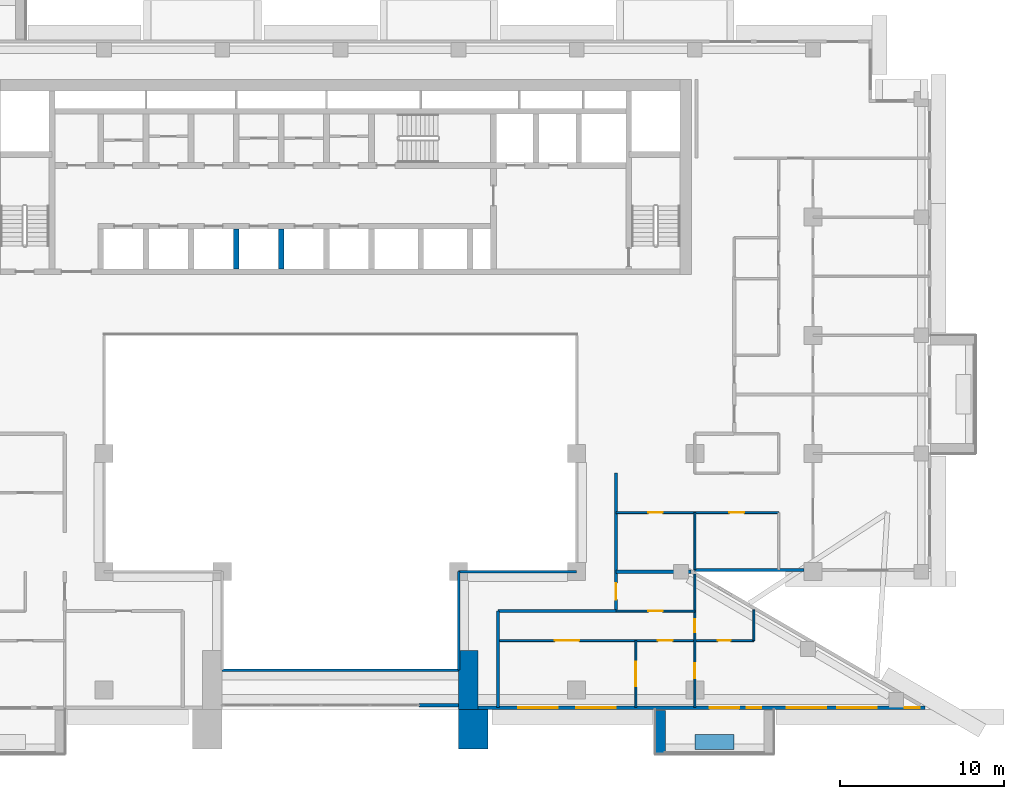
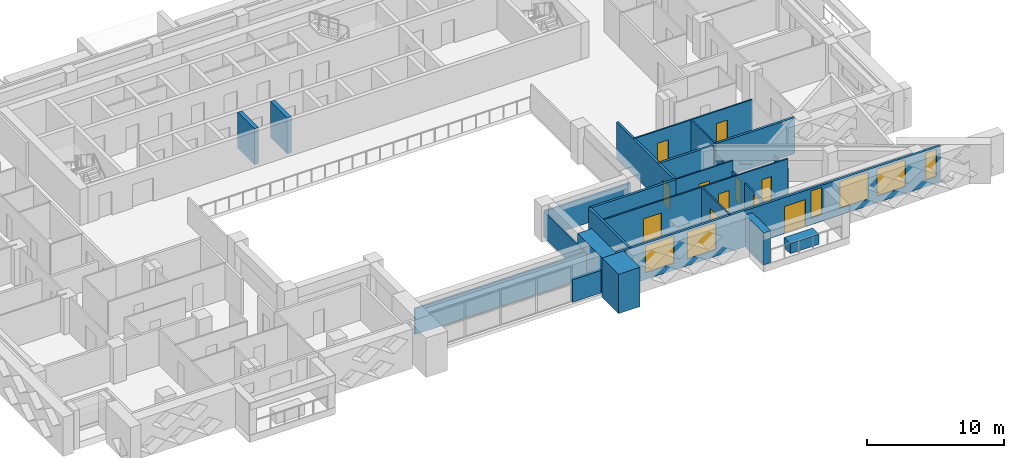
# One storey, part 8 of 20: 23 walls, 11 doors, 6 windows, 17 openings.
"""IFC4 building model written with IfcOpenShell, lengths in metres."""

from ifc_helpers import new_model, si_unit, direction, frame, frame_2d, origin, place, context, subcontext, project, spatial, rectangle, extrude, material, layer, layer_set, type_object, element, fill, save


model = new_model("IFC4")

# Units and contexts
model_context = context("Model", 3, precision=1e-05, world=origin(), true_north=direction((0.0, 1.0)))
body_context = subcontext(model_context, "Body", "Model", "MODEL_VIEW")
ifc_project = project(units=[si_unit("LENGTHUNIT", "METRE"), si_unit("AREAUNIT", "SQUARE_METRE"), si_unit("VOLUMEUNIT", "CUBIC_METRE"), si_unit("PLANEANGLEUNIT", "RADIAN"), si_unit("MASSUNIT", "GRAM", prefix="KILO")], contexts=[model_context])

# Site, building, storey
site_placement = place(None, origin())
site = spatial("IfcSite", under=ifc_project, at=site_placement, CompositionType="ELEMENT")
building_placement = place(site_placement, origin())
building = spatial("IfcBuilding", under=site, at=building_placement, Name="Saffron Iwan Residences", CompositionType="ELEMENT")
storey_placement = place(building_placement, frame((0.0, 0.0, 123.5)))
storey = spatial("IfcBuildingStorey", under=building, at=storey_placement, Name="L32", CompositionType="ELEMENT", Elevation=123.5)

# Walls
ifc_material_1 = material(Name="Fire-rated glazing", Category="glass")
ifc_layer_1 = layer(ifc_material_1, 0.14990234375)
ifc_layer_set_1 = layer_set([ifc_layer_1], Name="Fire-rated glazing")
wall_type_1 = type_object("IfcWallType", Name="Atrium glazed screen 150", PredefinedType="SOLIDWALL", material=ifc_layer_set_1)
wall_1_placement = place(storey_placement, frame((43.199951171875, 42.0, 0.0), z_axis=(0.0, 0.0, 1.0), x_axis=(1.0, 0.0, 0.0)))
element("IfcWall", 1, at=wall_1_placement, inside=storey, type_object=wall_type_1, Name="W-L32-SCREEN-h42-43.2", PredefinedType="SOLIDWALL", context=body_context, shape_type="SweptSolid", body=[
    extrude(rectangle(XDim=14.400146484375, YDim=0.14990234375, at=frame_2d((7.2001953125, 0.0))), origin(), (0.0, 0.0, 1.0), 2.300048828125),
])
wall_2_placement = place(storey_placement, frame((57.60009765625, 48.0, 0.0), z_axis=(0.0, 0.0, 1.0), x_axis=(1.0, 0.0, 0.0)))
element("IfcWall", 2, at=wall_2_placement, inside=storey, type_object=wall_type_1, Name="W-L32-SCREEN-h48-57.6", PredefinedType="SOLIDWALL", context=body_context, shape_type="SweptSolid", body=[
    extrude(rectangle(XDim=7.199951171875, YDim=0.14990234375, at=frame_2d((3.60009765625, 0.0))), origin(), (0.0, 0.0, 1.0), 2.300048828125),
])
wall_3_placement = place(storey_placement, frame((57.60009765625, 42.0, 0.0), z_axis=(0.0, 0.0, 1.0), x_axis=(0.0, 1.0, 0.0)))
element("IfcWall", 3, at=wall_3_placement, inside=storey, type_object=wall_type_1, Name="W-L32-SCREEN-v57.6-42", PredefinedType="SOLIDWALL", context=body_context, shape_type="SweptSolid", body=[
    extrude(rectangle(XDim=6.0, YDim=0.14990234375, at=frame_2d((3.0, 0.0))), origin(), (0.0, 0.0, 1.0), 2.300048828125),
])
ifc_material_2 = material(Name="Concrete C50/60 white painted", Category="concrete")
ifc_layer_2 = layer(ifc_material_2, 0.60009765625)
ifc_layer_set_2 = layer_set([ifc_layer_2], Name="Concrete C50/60 white painted")
wall_type_2 = type_object("IfcWallType", Name="BALCONY FIN 600", PredefinedType="SOLIDWALL", material=ifc_layer_set_2)
wall_4_placement = place(storey_placement, frame((69.89990234375, 39.550048828125, 0.0), z_axis=(0.0, 0.0, 1.0), x_axis=(0.0, -1.0, 0.0)))
element("IfcWall", 4, at=wall_4_placement, inside=storey, type_object=wall_type_2, Name="Balcony fin L32 11-1a", PredefinedType="SOLIDWALL", context=body_context, shape_type="SweptSolid", body=[
    extrude(rectangle(XDim=2.650146484375, YDim=0.60009765625, at=frame_2d((1.3251953125, 0.0))), origin(), (0.0, 0.0, 1.0), 2.85009765625),
])
ifc_material_3 = material(Name="Concrete C35/45 white painted", Category="concrete")
ifc_layer_3 = layer(ifc_material_3, 0.14990234375)
ifc_layer_set_3 = layer_set([ifc_layer_3], Name="Concrete C35/45 white painted")
wall_type_3 = type_object("IfcWallType", Name="BALCONY PLANTER", PredefinedType="SOLIDWALL", material=ifc_layer_set_3)
wall_5_placement = place(storey_placement, frame((72.0, 37.625, 0.0), z_axis=(0.0, 0.0, 1.0), x_axis=(1.0, 0.0, 0.0)))
element("IfcWall", 5, at=wall_5_placement, inside=storey, type_object=wall_type_3, Name="PLANTER L32 11-1", PredefinedType="SOLIDWALL", context=body_context, shape_type="SweptSolid", body=[
    extrude(rectangle(XDim=2.39990234375, YDim=0.89990234375, at=frame_2d((1.199951171875, 0.0))), origin(), (0.0, 0.0, 1.0), 0.89990234375),
])
ifc_material_4 = material(Name="Concrete C40/50", Category="concrete")
ifc_layer_4 = layer(ifc_material_4, 0.199951171875)
ifc_layer_set_4 = layer_set([ifc_layer_4], Name="Concrete C40/50")
wall_type_4 = type_object("IfcWallType", Name="EXTERNAL WALL 200", PredefinedType="SOLIDWALL", material=ifc_layer_set_4)
wall_6_placement = place(storey_placement, frame((71.989990234375, 48.10009765625, 0.0), z_axis=(0.0, 0.0, 1.0), x_axis=(1.0, 0.0, 0.0)))
element("IfcWall", 6, at=wall_6_placement, inside=storey, type_object=wall_type_4, Name="External wall L32 F1.0", PredefinedType="SOLIDWALL", context=body_context, shape_type="SweptSolid", body=[
    extrude(rectangle(XDim=6.659912109375, YDim=0.199951171875, at=frame_2d((3.330078125, 0.0))), origin(), (0.0, 0.0, 1.0), 3.199951171875),
])

# Wall, openings, door, windows
wall_7_placement = place(storey_placement, frame((58.800048828125, 39.699951171875, 0.0), z_axis=(0.0, 0.0, 1.0), x_axis=(1.0, 0.0, 0.0)))
wall_7 = element("IfcWall", 7, at=wall_7_placement, inside=storey, type_object=wall_type_4, Name="External wall L32 F11.1", PredefinedType="SOLIDWALL", context=body_context, shape_type="SweptSolid", body=[
    extrude(rectangle(XDim=27.22998046875, YDim=0.199951171875, at=frame_2d((13.614990234375, 0.0))), origin(), (0.0, 0.0, 1.0), 3.199951171875),
])
opening_1_placement = place(wall_7_placement, frame((14.10009765625, 0.0, 0.0)))
opening_1 = element("IfcOpeningElement", 8, at=opening_1_placement, cuts=wall_7, Name="Opening BD1", PredefinedType="OPENING", context=body_context, shape_type="SweptSolid", body=[
    extrude(rectangle(XDim=1.800048828125, YDim=2.39990234375, at=frame_2d((0.89990234375, 1.199951171875))), frame((0.0, 0.10986328125, 0.0), z_axis=(0.0, -1.0, 0.0), x_axis=(1.0, 0.0, 0.0)), (0.0, 0.0, 1.0), 0.219970703125),
])
opening_2_placement = place(wall_7_placement, frame((2.433349609375, 0.0, 0.60009765625)))
opening_2 = element("IfcOpeningElement", 9, at=opening_2_placement, cuts=wall_7, Name="Opening W1", PredefinedType="OPENING", context=body_context, shape_type="SweptSolid", body=[
    extrude(rectangle(XDim=2.39990234375, YDim=2.39990234375, at=frame_2d((1.199951171875, 1.199951171875))), frame((0.0, 0.10986328125, 0.0), z_axis=(0.0, -1.0, 0.0), x_axis=(1.0, 0.0, 0.0)), (0.0, 0.0, 1.0), 0.219970703125),
])
opening_3_placement = place(wall_7_placement, frame((5.966796875, 0.0, 0.60009765625)))
opening_3 = element("IfcOpeningElement", 10, at=opening_3_placement, cuts=wall_7, Name="Opening W1", PredefinedType="OPENING", context=body_context, shape_type="SweptSolid", body=[
    extrude(rectangle(XDim=2.39990234375, YDim=2.39990234375, at=frame_2d((1.199951171875, 1.199951171875))), frame((0.0, 0.10986328125, 0.0), z_axis=(0.0, -1.0, 0.0), x_axis=(1.0, 0.0, 0.0)), (0.0, 0.0, 1.0), 0.219970703125),
])
opening_4_placement = place(wall_7_placement, frame((16.35009765625, 0.0, 0.60009765625)))
opening_4 = element("IfcOpeningElement", 11, at=opening_4_placement, cuts=wall_7, Name="Opening W10", PredefinedType="OPENING", context=body_context, shape_type="SweptSolid", body=[
    extrude(rectangle(XDim=0.89990234375, YDim=2.39990234375, at=frame_2d((0.449951171875, 1.199951171875))), frame((0.0, 0.10986328125, 0.0), z_axis=(0.0, -1.0, 0.0), x_axis=(1.0, 0.0, 0.0)), (0.0, 0.0, 1.0), 0.219970703125),
])
opening_5_placement = place(wall_7_placement, frame((18.7919921875, 0.0, 0.60009765625)))
opening_5 = element("IfcOpeningElement", 12, at=opening_5_placement, cuts=wall_7, Name="Opening W1", PredefinedType="OPENING", context=body_context, shape_type="SweptSolid", body=[
    extrude(rectangle(XDim=2.39990234375, YDim=2.39990234375, at=frame_2d((1.199951171875, 1.199951171875))), frame((0.0, 0.10986328125, 0.0), z_axis=(0.0, -1.0, 0.0), x_axis=(1.0, 0.0, 0.0)), (0.0, 0.0, 1.0), 0.219970703125),
])
opening_6_placement = place(wall_7_placement, frame((21.884033203125, 0.0, 0.60009765625)))
opening_6 = element("IfcOpeningElement", 13, at=opening_6_placement, cuts=wall_7, Name="Opening W1", PredefinedType="OPENING", context=body_context, shape_type="SweptSolid", body=[
    extrude(rectangle(XDim=2.39990234375, YDim=2.39990234375, at=frame_2d((1.199951171875, 1.199951171875))), frame((0.0, 0.10986328125, 0.0), z_axis=(0.0, -1.0, 0.0), x_axis=(1.0, 0.0, 0.0)), (0.0, 0.0, 1.0), 0.219970703125),
])
opening_7_placement = place(wall_7_placement, frame((26.003173828125, 0.0, 0.60009765625)))
opening_7 = element("IfcOpeningElement", 14, at=opening_7_placement, cuts=wall_7, Name="Opening W10", PredefinedType="OPENING", context=body_context, shape_type="SweptSolid", body=[
    extrude(rectangle(XDim=0.89990234375, YDim=2.39990234375, at=frame_2d((0.449951171875, 1.199951171875))), frame((0.0, 0.10986328125, 0.0), z_axis=(0.0, -1.0, 0.0), x_axis=(1.0, 0.0, 0.0)), (0.0, 0.0, 1.0), 0.219970703125),
])
ifc_material_5 = material(Name="Clear glass, laminated double glazed", Category="glass")
door_type_1 = type_object("IfcDoorType", Name="BALCONY DOOR 1800 x 2400", OperationType="DOUBLE_DOOR_SLIDING", PredefinedType="DOOR", material=ifc_material_5)
door_1_placement = place(opening_1_placement, origin())
door_1 = element("IfcDoor", 15, at=door_1_placement, inside=storey, type_object=door_type_1, Name="Balcony door L32 F11.0", OperationType="DOUBLE_DOOR_SLIDING", OverallHeight=2.39990234375, OverallWidth=1.800048828125, PredefinedType="DOOR", context=body_context, shape_type="SweptSolid", body=[
    extrude(rectangle(XDim=1.800048828125, YDim=2.39990234375, at=frame_2d((0.89990234375, 1.199951171875))), frame((0.0, 0.02490234375, 0.0), z_axis=(0.0, -1.0, 0.0), x_axis=(1.0, 0.0, 0.0)), (0.0, 0.0, 1.0), 0.050048828125),
])
fill(opening_1, door_1)
window_type_1 = type_object("IfcWindowType", Name="WINDOW 2400 x 2400", PartitioningType="DOUBLE_PANEL_VERTICAL", PredefinedType="WINDOW", material=ifc_material_5)
window_1_placement = place(opening_2_placement, origin())
window_1 = element("IfcWindow", 16, at=window_1_placement, inside=storey, type_object=window_type_1, Name="Window L32 F11.1", OverallHeight=2.39990234375, OverallWidth=2.39990234375, PartitioningType="DOUBLE_PANEL_VERTICAL", PredefinedType="WINDOW", context=body_context, shape_type="SweptSolid", body=[
    extrude(rectangle(XDim=2.39990234375, YDim=2.39990234375, at=frame_2d((1.199951171875, 1.199951171875))), frame((0.0, 0.030029296875, 0.0), z_axis=(0.0, -1.0, 0.0), x_axis=(1.0, 0.0, 0.0)), (0.0, 0.0, 1.0), 0.06005859375),
])
fill(opening_2, window_1)
window_2_placement = place(opening_3_placement, origin())
window_2 = element("IfcWindow", 17, at=window_2_placement, inside=storey, type_object=window_type_1, Name="Window L32 F11.2", OverallHeight=2.39990234375, OverallWidth=2.39990234375, PartitioningType="DOUBLE_PANEL_VERTICAL", PredefinedType="WINDOW", context=body_context, shape_type="SweptSolid", body=[
    extrude(rectangle(XDim=2.39990234375, YDim=2.39990234375, at=frame_2d((1.199951171875, 1.199951171875))), frame((0.0, 0.030029296875, 0.0), z_axis=(0.0, -1.0, 0.0), x_axis=(1.0, 0.0, 0.0)), (0.0, 0.0, 1.0), 0.06005859375),
])
fill(opening_3, window_2)
window_3_placement = place(opening_5_placement, origin())
window_3 = element("IfcWindow", 18, at=window_3_placement, inside=storey, type_object=window_type_1, Name="Window L32 F11.4", OverallHeight=2.39990234375, OverallWidth=2.39990234375, PartitioningType="DOUBLE_PANEL_VERTICAL", PredefinedType="WINDOW", context=body_context, shape_type="SweptSolid", body=[
    extrude(rectangle(XDim=2.39990234375, YDim=2.39990234375, at=frame_2d((1.199951171875, 1.199951171875))), frame((0.0, 0.030029296875, 0.0), z_axis=(0.0, -1.0, 0.0), x_axis=(1.0, 0.0, 0.0)), (0.0, 0.0, 1.0), 0.06005859375),
])
fill(opening_5, window_3)
window_4_placement = place(opening_6_placement, origin())
window_4 = element("IfcWindow", 19, at=window_4_placement, inside=storey, type_object=window_type_1, Name="Window L32 F11.5", OverallHeight=2.39990234375, OverallWidth=2.39990234375, PartitioningType="DOUBLE_PANEL_VERTICAL", PredefinedType="WINDOW", context=body_context, shape_type="SweptSolid", body=[
    extrude(rectangle(XDim=2.39990234375, YDim=2.39990234375, at=frame_2d((1.199951171875, 1.199951171875))), frame((0.0, 0.030029296875, 0.0), z_axis=(0.0, -1.0, 0.0), x_axis=(1.0, 0.0, 0.0)), (0.0, 0.0, 1.0), 0.06005859375),
])
fill(opening_6, window_4)
window_type_2 = type_object("IfcWindowType", Name="WINDOW 900 x 2400", PartitioningType="SINGLE_PANEL", PredefinedType="WINDOW", material=ifc_material_5)
window_5_placement = place(opening_4_placement, origin())
window_5 = element("IfcWindow", 20, at=window_5_placement, inside=storey, type_object=window_type_2, Name="Window L32 F11.3", OverallHeight=2.39990234375, OverallWidth=0.89990234375, PartitioningType="SINGLE_PANEL", PredefinedType="WINDOW", context=body_context, shape_type="SweptSolid", body=[
    extrude(rectangle(XDim=0.89990234375, YDim=2.39990234375, at=frame_2d((0.449951171875, 1.199951171875))), frame((0.0, 0.030029296875, 0.0), z_axis=(0.0, -1.0, 0.0), x_axis=(1.0, 0.0, 0.0)), (0.0, 0.0, 1.0), 0.06005859375),
])
fill(opening_4, window_5)
window_6_placement = place(opening_7_placement, origin())
window_6 = element("IfcWindow", 21, at=window_6_placement, inside=storey, type_object=window_type_2, Name="Window L32 F11.6", OverallHeight=2.39990234375, OverallWidth=0.89990234375, PartitioningType="SINGLE_PANEL", PredefinedType="WINDOW", context=body_context, shape_type="SweptSolid", body=[
    extrude(rectangle(XDim=0.89990234375, YDim=2.39990234375, at=frame_2d((0.449951171875, 1.199951171875))), frame((0.0, 0.030029296875, 0.0), z_axis=(0.0, -1.0, 0.0), x_axis=(1.0, 0.0, 0.0)), (0.0, 0.0, 1.0), 0.06005859375),
])
fill(opening_7, window_6)

# Walls
wall_8_placement = place(storey_placement, frame((55.199951171875, 39.85009765625, 0.0), z_axis=(0.0, 0.0, 1.0), x_axis=(1.0, 0.0, 0.0)))
element("IfcWall", 22, at=wall_8_placement, inside=storey, type_object=wall_type_4, Name="External wall infill CWB-L32-0", PredefinedType="SOLIDWALL", context=body_context, shape_type="SweptSolid", body=[
    extrude(rectangle(XDim=2.400146484375, YDim=0.199951171875, at=frame_2d((1.2001953125, 0.0))), origin(), (0.0, 0.0, 1.0), 2.0),
])
ifc_material_6 = material(Name="Fire-rated gypsum board wall")
ifc_layer_5 = layer(ifc_material_6, 0.199951171875)
ifc_layer_set_5 = layer_set([ifc_layer_5], Name="Fire-rated gypsum board wall")
wall_type_5 = type_object("IfcWallType", Name="Flat demising wall 200", PredefinedType="SOLIDWALL", material=ifc_layer_set_5)
wall_9_placement = place(storey_placement, frame((67.199951171875, 48.0, 0.0), z_axis=(0.0, 0.0, 1.0), x_axis=(1.0, 0.0, 0.0)))
element("IfcWall", 23, at=wall_9_placement, inside=storey, type_object=wall_type_5, Name="W-L32-DEMISE-h48-67.2", PredefinedType="SOLIDWALL", context=body_context, shape_type="SweptSolid", body=[
    extrude(rectangle(XDim=4.552001953125, YDim=0.199951171875, at=frame_2d((2.27587890625, 0.0))), origin(), (0.0, 0.0, 1.0), 3.199951171875),
])

# Wall, openings, doors
ifc_material_7 = material(Name="Gypsum board partition")
ifc_layer_6 = layer(ifc_material_7, 0.1201171875)
ifc_layer_set_6 = layer_set([ifc_layer_6], Name="Gypsum board partition")
wall_type_6 = type_object("IfcWallType", Name="Flat partition 120", PredefinedType="PARTITIONING", material=ifc_layer_set_6)
wall_10_placement = place(storey_placement, frame((60.0, 43.800048828125, 0.0), z_axis=(0.0, 0.0, 1.0), x_axis=(1.0, 0.0, 0.0)))
wall_10 = element("IfcWall", 24, at=wall_10_placement, inside=storey, type_object=wall_type_6, Name="W-L32-PART-h43.8-60", PredefinedType="PARTITIONING", context=body_context, shape_type="SweptSolid", body=[
    extrude(rectangle(XDim=15.60009765625, YDim=0.1201171875, at=frame_2d((7.800048828125, 0.0))), origin(), (0.0, 0.0, 1.0), 3.199951171875),
])
opening_8_placement = place(wall_10_placement, frame((9.75, 0.0, 0.0)))
opening_8 = element("IfcOpeningElement", 25, at=opening_8_placement, cuts=wall_10, Name="Opening FD2", PredefinedType="OPENING", context=body_context, shape_type="SweptSolid", body=[
    extrude(rectangle(XDim=0.89990234375, YDim=2.10009765625, at=frame_2d((0.449951171875, 1.050048828125))), frame((0.0, 0.070068359375, 0.0), z_axis=(0.0, -1.0, 0.0), x_axis=(1.0, 0.0, 0.0)), (0.0, 0.0, 1.0), 0.14013671875),
])
opening_9_placement = place(wall_10_placement, frame((3.449951171875, 0.0, 0.0)))
opening_9 = element("IfcOpeningElement", 26, at=opening_9_placement, cuts=wall_10, Name="Opening FD4", PredefinedType="OPENING", context=body_context, shape_type="SweptSolid", body=[
    extrude(rectangle(XDim=1.5, YDim=2.10009765625, at=frame_2d((0.75, 1.050048828125))), frame((0.0, 0.070068359375, 0.0), z_axis=(0.0, -1.0, 0.0), x_axis=(1.0, 0.0, 0.0)), (0.0, 0.0, 1.0), 0.14013671875),
])
opening_10_placement = place(wall_10_placement, frame((13.39990234375, 0.0, 0.0)))
opening_10 = element("IfcOpeningElement", 27, at=opening_10_placement, cuts=wall_10, Name="Opening FD3", PredefinedType="OPENING", context=body_context, shape_type="SweptSolid", body=[
    extrude(rectangle(XDim=0.800048828125, YDim=2.10009765625, at=frame_2d((0.39990234375, 1.050048828125))), frame((0.0, 0.070068359375, 0.0), z_axis=(0.0, -1.0, 0.0), x_axis=(1.0, 0.0, 0.0)), (0.0, 0.0, 1.0), 0.14013671875),
])
ifc_material_8 = material(Name="Timber door", Category="wood")
door_type_2 = type_object("IfcDoorType", Name="Bathroom door 800", OperationType="NOTDEFINED", PredefinedType="DOOR", material=ifc_material_8)
door_2_placement = place(opening_10_placement, origin())
door_2 = element("IfcDoor", 28, at=door_2_placement, inside=storey, type_object=door_type_2, Name="Door L32-045", OperationType="SINGLE_SWING_LEFT", OverallHeight=2.10009765625, OverallWidth=0.800048828125, PredefinedType="DOOR", context=body_context, shape_type="SweptSolid", body=[
    extrude(rectangle(XDim=0.800048828125, YDim=2.10009765625, at=frame_2d((0.39990234375, 1.050048828125))), frame((0.0, 0.02490234375, 0.0), z_axis=(0.0, -1.0, 0.0), x_axis=(1.0, 0.0, 0.0)), (0.0, 0.0, 1.0), 0.050048828125),
])
fill(opening_10, door_2)
door_type_3 = type_object("IfcDoorType", Name="Double door 1500", OperationType="NOTDEFINED", PredefinedType="DOOR", material=ifc_material_8)
door_3_placement = place(opening_9_placement, origin())
door_3 = element("IfcDoor", 29, at=door_3_placement, inside=storey, type_object=door_type_3, Name="Door L32-042", OperationType="SINGLE_SWING_LEFT", OverallHeight=2.10009765625, OverallWidth=1.5, PredefinedType="DOOR", context=body_context, shape_type="SweptSolid", body=[
    extrude(rectangle(XDim=1.5, YDim=2.10009765625, at=frame_2d((0.75, 1.050048828125))), frame((0.0, 0.02490234375, 0.0), z_axis=(0.0, -1.0, 0.0), x_axis=(1.0, 0.0, 0.0)), (0.0, 0.0, 1.0), 0.050048828125),
])
fill(opening_9, door_3)
door_type_4 = type_object("IfcDoorType", Name="Flat door 900", OperationType="NOTDEFINED", PredefinedType="DOOR", material=ifc_material_8)
door_4_placement = place(opening_8_placement, origin())
door_4 = element("IfcDoor", 30, at=door_4_placement, inside=storey, type_object=door_type_4, Name="Door L32-041", OperationType="SINGLE_SWING_RIGHT", OverallHeight=2.10009765625, OverallWidth=0.89990234375, PredefinedType="DOOR", context=body_context, shape_type="SweptSolid", body=[
    extrude(rectangle(XDim=0.89990234375, YDim=2.10009765625, at=frame_2d((0.449951171875, 1.050048828125))), frame((0.0, 0.02490234375, 0.0), z_axis=(0.0, -1.0, 0.0), x_axis=(1.0, 0.0, 0.0)), (0.0, 0.0, 1.0), 0.050048828125),
])
fill(opening_8, door_4)

# Wall, opening, door
wall_11_placement = place(storey_placement, frame((67.199951171875, 45.60009765625, 0.0), z_axis=(0.0, 0.0, 1.0), x_axis=(1.0, 0.0, 0.0)))
wall_11 = element("IfcWall", 31, at=wall_11_placement, inside=storey, type_object=wall_type_6, Name="W-L32-PART-h45.6-67.2", PredefinedType="PARTITIONING", context=body_context, shape_type="SweptSolid", body=[
    extrude(rectangle(XDim=4.800048828125, YDim=0.1201171875, at=frame_2d((2.39990234375, 0.0))), origin(), (0.0, 0.0, 1.0), 3.199951171875),
])
opening_11_placement = place(wall_11_placement, frame((1.949951171875, 0.0, 0.0)))
opening_11 = element("IfcOpeningElement", 32, at=opening_11_placement, cuts=wall_11, Name="Opening FD2", PredefinedType="OPENING", context=body_context, shape_type="SweptSolid", body=[
    extrude(rectangle(XDim=0.89990234375, YDim=2.10009765625, at=frame_2d((0.449951171875, 1.050048828125))), frame((0.0, 0.070068359375, 0.0), z_axis=(0.0, -1.0, 0.0), x_axis=(1.0, 0.0, 0.0)), (0.0, 0.0, 1.0), 0.14013671875),
])
door_5_placement = place(opening_11_placement, origin())
door_5 = element("IfcDoor", 33, at=door_5_placement, inside=storey, type_object=door_type_4, Name="Door L32-039", OperationType="SINGLE_SWING_LEFT", OverallHeight=2.10009765625, OverallWidth=0.89990234375, PredefinedType="DOOR", context=body_context, shape_type="SweptSolid", body=[
    extrude(rectangle(XDim=0.89990234375, YDim=2.10009765625, at=frame_2d((0.449951171875, 1.050048828125))), frame((0.0, 0.02490234375, 0.0), z_axis=(0.0, -1.0, 0.0), x_axis=(1.0, 0.0, 0.0)), (0.0, 0.0, 1.0), 0.050048828125),
])
fill(opening_11, door_5)

# Wall, openings, doors
wall_12_placement = place(storey_placement, frame((67.199951171875, 51.60009765625, 0.0), z_axis=(0.0, 0.0, 1.0), x_axis=(1.0, 0.0, 0.0)))
wall_12 = element("IfcWall", 34, at=wall_12_placement, inside=storey, type_object=wall_type_6, Name="W-L32-PART-h51.6-67.2", PredefinedType="PARTITIONING", context=body_context, shape_type="SweptSolid", body=[
    extrude(rectangle(XDim=9.900146484375, YDim=0.1201171875, at=frame_2d((4.9501953125, 0.0))), origin(), (0.0, 0.0, 1.0), 3.199951171875),
])
opening_12_placement = place(wall_12_placement, frame((6.89990234375, 0.0, 0.0)))
opening_12 = element("IfcOpeningElement", 35, at=opening_12_placement, cuts=wall_12, Name="Opening FD2", PredefinedType="OPENING", context=body_context, shape_type="SweptSolid", body=[
    extrude(rectangle(XDim=0.89990234375, YDim=2.10009765625, at=frame_2d((0.449951171875, 1.050048828125))), frame((0.0, 0.070068359375, 0.0), z_axis=(0.0, -1.0, 0.0), x_axis=(1.0, 0.0, 0.0)), (0.0, 0.0, 1.0), 0.14013671875),
])
opening_13_placement = place(wall_12_placement, frame((1.949951171875, 0.0, 0.0)))
opening_13 = element("IfcOpeningElement", 36, at=opening_13_placement, cuts=wall_12, Name="Opening FD2", PredefinedType="OPENING", context=body_context, shape_type="SweptSolid", body=[
    extrude(rectangle(XDim=0.89990234375, YDim=2.10009765625, at=frame_2d((0.449951171875, 1.050048828125))), frame((0.0, 0.070068359375, 0.0), z_axis=(0.0, -1.0, 0.0), x_axis=(1.0, 0.0, 0.0)), (0.0, 0.0, 1.0), 0.14013671875),
])
door_6_placement = place(opening_12_placement, origin())
door_6 = element("IfcDoor", 37, at=door_6_placement, inside=storey, type_object=door_type_4, Name="Door L32-016", OperationType="SINGLE_SWING_LEFT", OverallHeight=2.10009765625, OverallWidth=0.89990234375, PredefinedType="DOOR", context=body_context, shape_type="SweptSolid", body=[
    extrude(rectangle(XDim=0.89990234375, YDim=2.10009765625, at=frame_2d((0.449951171875, 1.050048828125))), frame((0.0, 0.02490234375, 0.0), z_axis=(0.0, -1.0, 0.0), x_axis=(1.0, 0.0, 0.0)), (0.0, 0.0, 1.0), 0.050048828125),
])
fill(opening_12, door_6)
door_7_placement = place(opening_13_placement, origin())
door_7 = element("IfcDoor", 38, at=door_7_placement, inside=storey, type_object=door_type_4, Name="Door L32-018", OperationType="SINGLE_SWING_LEFT", OverallHeight=2.10009765625, OverallWidth=0.89990234375, PredefinedType="DOOR", context=body_context, shape_type="SweptSolid", body=[
    extrude(rectangle(XDim=0.89990234375, YDim=2.10009765625, at=frame_2d((0.449951171875, 1.050048828125))), frame((0.0, 0.02490234375, 0.0), z_axis=(0.0, -1.0, 0.0), x_axis=(1.0, 0.0, 0.0)), (0.0, 0.0, 1.0), 0.050048828125),
])
fill(opening_13, door_7)

# Wall, opening, door
wall_13_placement = place(storey_placement, frame((68.39990234375, 39.72509765625, 0.0), z_axis=(0.0, 0.0, 1.0), x_axis=(0.0, 1.0, 0.0)))
wall_13 = element("IfcWall", 39, at=wall_13_placement, inside=storey, type_object=wall_type_6, Name="W-L32-PART-v68.4-39.725", PredefinedType="PARTITIONING", context=body_context, shape_type="SweptSolid", body=[
    extrude(rectangle(XDim=4.074951171875, YDim=0.1201171875, at=frame_2d((2.03759765625, 0.0))), origin(), (0.0, 0.0, 1.0), 3.199951171875),
])
opening_14_placement = place(wall_13_placement, frame((1.28759765625, 0.0, 0.0)))
opening_14 = element("IfcOpeningElement", 40, at=opening_14_placement, cuts=wall_13, Name="Opening FD4", PredefinedType="OPENING", context=body_context, shape_type="SweptSolid", body=[
    extrude(rectangle(XDim=1.5, YDim=2.10009765625, at=frame_2d((0.75, 1.050048828125))), frame((0.0, 0.070068359375, 0.0), z_axis=(0.0, -1.0, 0.0), x_axis=(1.0, 0.0, 0.0)), (0.0, 0.0, 1.0), 0.14013671875),
])
door_8_placement = place(opening_14_placement, origin())
door_8 = element("IfcDoor", 41, at=door_8_placement, inside=storey, type_object=door_type_3, Name="Door L32-038", OperationType="SINGLE_SWING_RIGHT", OverallHeight=2.10009765625, OverallWidth=1.5, PredefinedType="DOOR", context=body_context, shape_type="SweptSolid", body=[
    extrude(rectangle(XDim=1.5, YDim=2.10009765625, at=frame_2d((0.75, 1.050048828125))), frame((0.0, 0.02490234375, 0.0), z_axis=(0.0, -1.0, 0.0), x_axis=(1.0, 0.0, 0.0)), (0.0, 0.0, 1.0), 0.050048828125),
])
fill(opening_14, door_8)

# Wall, openings, doors
wall_14_placement = place(storey_placement, frame((72.0, 39.72509765625, 0.0), z_axis=(0.0, 0.0, 1.0), x_axis=(0.0, 1.0, 0.0)))
wall_14 = element("IfcWall", 42, at=wall_14_placement, inside=storey, type_object=wall_type_6, Name="W-L32-PART-v72-39.725", PredefinedType="PARTITIONING", context=body_context, shape_type="SweptSolid", body=[
    extrude(rectangle(XDim=8.1298828125, YDim=0.1201171875, at=frame_2d((4.06494140625, 0.0))), origin(), (0.0, 0.0, 1.0), 2.300048828125),
])
opening_15_placement = place(wall_14_placement, frame((1.78759765625, 0.0, 0.0)))
opening_15 = element("IfcOpeningElement", 43, at=opening_15_placement, cuts=wall_14, Name="Opening FD2", PredefinedType="OPENING", context=body_context, shape_type="SweptSolid", body=[
    extrude(rectangle(XDim=0.89990234375, YDim=2.10009765625, at=frame_2d((0.449951171875, 1.050048828125))), frame((0.0, 0.070068359375, 0.0), z_axis=(0.0, -1.0, 0.0), x_axis=(1.0, 0.0, 0.0)), (0.0, 0.0, 1.0), 0.14013671875),
])
opening_16_placement = place(wall_14_placement, frame((4.574951171875, 0.0, 0.0)))
opening_16 = element("IfcOpeningElement", 44, at=opening_16_placement, cuts=wall_14, Name="Opening FD3", PredefinedType="OPENING", context=body_context, shape_type="SweptSolid", body=[
    extrude(rectangle(XDim=0.800048828125, YDim=2.10009765625, at=frame_2d((0.39990234375, 1.050048828125))), frame((0.0, 0.070068359375, 0.0), z_axis=(0.0, -1.0, 0.0), x_axis=(1.0, 0.0, 0.0)), (0.0, 0.0, 1.0), 0.14013671875),
])
door_9_placement = place(opening_16_placement, origin())
door_9 = element("IfcDoor", 45, at=door_9_placement, inside=storey, type_object=door_type_2, Name="Door L32-044", OperationType="SINGLE_SWING_RIGHT", OverallHeight=2.10009765625, OverallWidth=0.800048828125, PredefinedType="DOOR", context=body_context, shape_type="SweptSolid", body=[
    extrude(rectangle(XDim=0.800048828125, YDim=2.10009765625, at=frame_2d((0.39990234375, 1.050048828125))), frame((0.0, 0.02490234375, 0.0), z_axis=(0.0, -1.0, 0.0), x_axis=(1.0, 0.0, 0.0)), (0.0, 0.0, 1.0), 0.050048828125),
])
fill(opening_16, door_9)
door_10_placement = place(opening_15_placement, origin())
door_10 = element("IfcDoor", 46, at=door_10_placement, inside=storey, type_object=door_type_4, Name="Door L32-043", OperationType="SINGLE_SWING_RIGHT", OverallHeight=2.10009765625, OverallWidth=0.89990234375, PredefinedType="DOOR", context=body_context, shape_type="SweptSolid", body=[
    extrude(rectangle(XDim=0.89990234375, YDim=2.10009765625, at=frame_2d((0.449951171875, 1.050048828125))), frame((0.0, 0.02490234375, 0.0), z_axis=(0.0, -1.0, 0.0), x_axis=(1.0, 0.0, 0.0)), (0.0, 0.0, 1.0), 0.050048828125),
])
fill(opening_15, door_10)

# Walls
wall_15_placement = place(storey_placement, frame((72.0, 48.125, 0.0), z_axis=(0.0, 0.0, 1.0), x_axis=(0.0, 1.0, 0.0)))
element("IfcWall", 47, at=wall_15_placement, inside=storey, type_object=wall_type_6, Name="W-L32-PART-v72-48.125", PredefinedType="PARTITIONING", context=body_context, shape_type="SweptSolid", body=[
    extrude(rectangle(XDim=3.47509765625, YDim=0.1201171875, at=frame_2d((1.737548828125, 0.0))), origin(), (0.0, 0.0, 1.0), 3.199951171875),
])
wall_16_placement = place(storey_placement, frame((75.60009765625, 43.800048828125, 0.0), z_axis=(0.0, 0.0, 1.0), x_axis=(0.0, 1.0, 0.0)))
element("IfcWall", 48, at=wall_16_placement, inside=storey, type_object=wall_type_6, Name="W-L32-PART-v75.6-43.8", PredefinedType="PARTITIONING", context=body_context, shape_type="SweptSolid", body=[
    extrude(rectangle(XDim=1.868408203125, YDim=0.1201171875, at=frame_2d((0.93408203125, 0.0))), origin(), (0.0, 0.0, 1.0), 2.300048828125),
])
ifc_layer_7 = layer(ifc_material_6, 0.199951171875)
ifc_layer_set_7 = layer_set([ifc_layer_7], Name="Fire-rated gypsum board wall")
wall_type_7 = type_object("IfcWallType", Name="Gallery wall 200", PredefinedType="SOLIDWALL", material=ifc_layer_set_7)
wall_17_placement = place(storey_placement, frame((60.0, 45.60009765625, 0.0), z_axis=(0.0, 0.0, 1.0), x_axis=(1.0, 0.0, 0.0)))
element("IfcWall", 49, at=wall_17_placement, inside=storey, type_object=wall_type_7, Name="W-L32-CORR-h45.6-60", PredefinedType="SOLIDWALL", context=body_context, shape_type="SweptSolid", body=[
    extrude(rectangle(XDim=7.199951171875, YDim=0.199951171875, at=frame_2d((3.60009765625, 0.0))), origin(), (0.0, 0.0, 1.0), 3.199951171875),
])
wall_18_placement = place(storey_placement, frame((60.0, 39.72509765625, 0.0), z_axis=(0.0, 0.0, 1.0), x_axis=(0.0, 1.0, 0.0)))
element("IfcWall", 50, at=wall_18_placement, inside=storey, type_object=wall_type_7, Name="W-L32-CORR-v60-39.725", PredefinedType="SOLIDWALL", context=body_context, shape_type="SweptSolid", body=[
    extrude(rectangle(XDim=5.875, YDim=0.199951171875, at=frame_2d((2.9375, 0.0))), origin(), (0.0, 0.0, 1.0), 3.199951171875),
])

# Wall, opening, door
wall_19_placement = place(storey_placement, frame((67.199951171875, 45.60009765625, 0.0), z_axis=(0.0, 0.0, 1.0), x_axis=(0.0, 1.0, 0.0)))
wall_19 = element("IfcWall", 51, at=wall_19_placement, inside=storey, type_object=wall_type_7, Name="W-L32-CORR-v67.2-45.6", PredefinedType="SOLIDWALL", context=body_context, shape_type="SweptSolid", body=[
    extrude(rectangle(XDim=8.39990234375, YDim=0.199951171875, at=frame_2d((4.199951171875, 0.0))), origin(), (0.0, 0.0, 1.0), 3.199951171875),
])
opening_17_placement = place(wall_19_placement, frame((0.699951171875, 0.0, 0.0)))
opening_17 = element("IfcOpeningElement", 52, at=opening_17_placement, cuts=wall_19, Name="Opening FD5", PredefinedType="OPENING", context=body_context, shape_type="SweptSolid", body=[
    extrude(rectangle(XDim=1.0, YDim=2.10009765625, at=frame_2d((0.5, 1.050048828125))), frame((0.0, 0.10986328125, 0.0), z_axis=(0.0, -1.0, 0.0), x_axis=(1.0, 0.0, 0.0)), (0.0, 0.0, 1.0), 0.219970703125),
])
ifc_material_9 = material(Name="Fire-rated timber door", Category="wood")
door_type_5 = type_object("IfcDoorType", Name="Lobby door 1000", OperationType="NOTDEFINED", PredefinedType="DOOR", material=ifc_material_9)
door_11_placement = place(opening_17_placement, origin())
door_11 = element("IfcDoor", 53, at=door_11_placement, inside=storey, type_object=door_type_5, Name="Door L32-040", OperationType="SINGLE_SWING_LEFT", OverallHeight=2.10009765625, OverallWidth=1.0, PredefinedType="DOOR", context=body_context, shape_type="SweptSolid", body=[
    extrude(rectangle(XDim=1.0, YDim=2.10009765625, at=frame_2d((0.5, 1.050048828125))), frame((0.0, 0.02490234375, 0.0), z_axis=(0.0, -1.0, 0.0), x_axis=(1.0, 0.0, 0.0)), (0.0, 0.0, 1.0), 0.050048828125),
])
fill(opening_17, door_11)

# Walls
ifc_material_10 = material(Name="Terracotta screen, precast concrete C40/50", Category="masonry")
ifc_layer_8 = layer(ifc_material_10, 1.800048828125)
ifc_layer_set_8 = layer_set([ifc_layer_8], Name="Terracotta screen, precast concrete C40/50")
wall_type_8 = type_object("IfcWallType", Name="Portal pier, precast concrete 1800 (tower)", PredefinedType="SOLIDWALL", material=ifc_layer_set_8)
wall_20_placement = place(storey_placement, frame((58.5, 37.199951171875, -0.300048828125), z_axis=(0.0, 0.0, 1.0), x_axis=(0.0, 1.0, 0.0)))
element("IfcWall", 54, at=wall_20_placement, inside=storey, type_object=wall_type_8, Name="Portal pier E L32", PredefinedType="SOLIDWALL", context=body_context, shape_type="SweptSolid", body=[
    extrude(rectangle(XDim=2.400146484375, YDim=1.800048828125, at=frame_2d((1.2001953125, 0.0))), origin(), (0.0, 0.0, 1.0), 3.5),
])
ifc_material_11 = material(Name="Concrete C50/60", Category="concrete")
ifc_layer_9 = layer(ifc_material_11, 0.35009765625)
ifc_layer_set_9 = layer_set([ifc_layer_9], Name="Concrete C50/60")
wall_type_9 = type_object("IfcWallType", Name="WALL CORE 350 C50/60 3200 HIGH", PredefinedType="SHEAR", material=ifc_layer_set_9)
for number, where, z_axis, x_axis, name in (
    (55, (44.050048828125, 66.449951171875, 0.0), (0.0, 0.0, 1.0), (0.0, 1.0, 0.0), "Core wall"),
    (56, (46.800048828125, 66.449951171875, 0.0), (0.0, 0.0, 1.0), (0.0, 1.0, 0.0), "Core wall"),
):
    element("IfcWall", number, at=place(storey_placement, frame(where, z_axis=z_axis, x_axis=x_axis)), inside=storey, type_object=wall_type_9, Name=name, PredefinedType="SHEAR", context=body_context, shape_type="SweptSolid", body=[
        extrude(rectangle(XDim=2.425048828125, YDim=0.35009765625, at=frame_2d((1.21240234375, 0.0))), origin(), (0.0, 0.0, 1.0), 3.199951171875),
    ])
ifc_layer_10 = layer(ifc_material_11, 1.199951171875)
ifc_layer_set_10 = layer_set([ifc_layer_10], Name="Concrete C50/60")
wall_type_10 = type_object("IfcWallType", Name="WALL IWAN PIER 1200 C50/60 3200 HIGH", PredefinedType="SHEAR", material=ifc_layer_set_10)
wall_21_placement = place(storey_placement, frame((58.199951171875, 39.60009765625, 0.0), z_axis=(0.0, 0.0, 1.0), x_axis=(0.0, 1.0, 0.0)))
element("IfcWall", 57, at=wall_21_placement, inside=storey, type_object=wall_type_10, Name="IWAN PIER", PredefinedType="SHEAR", context=body_context, shape_type="SweptSolid", body=[
    extrude(rectangle(XDim=3.599853515625, YDim=1.199951171875, at=frame_2d((1.7998046875, 0.0))), origin(), (0.0, 0.0, 1.0), 3.199951171875),
])

save(model, "model.ifc")
